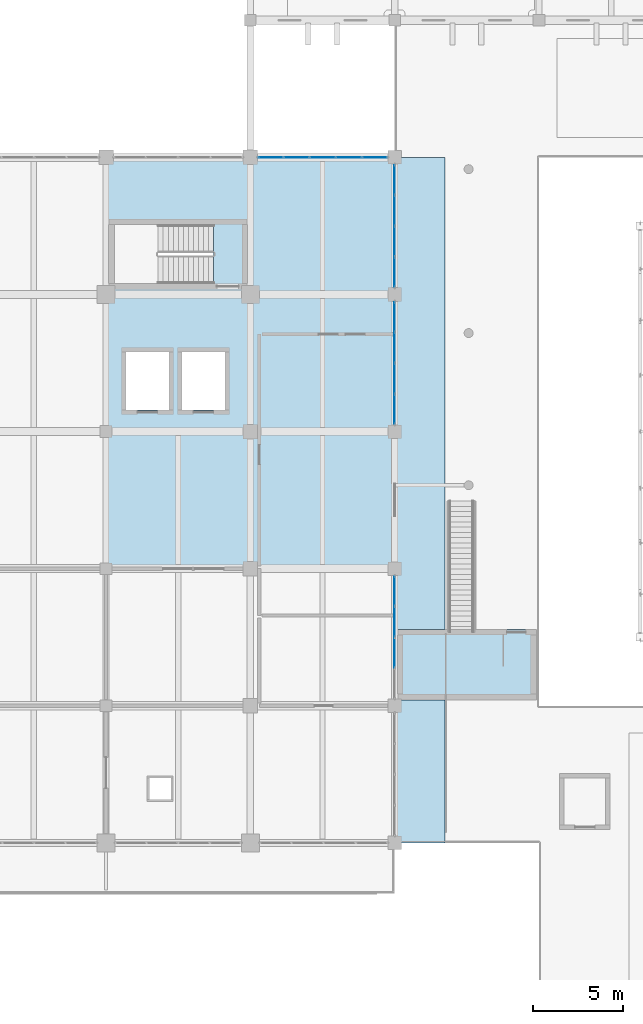
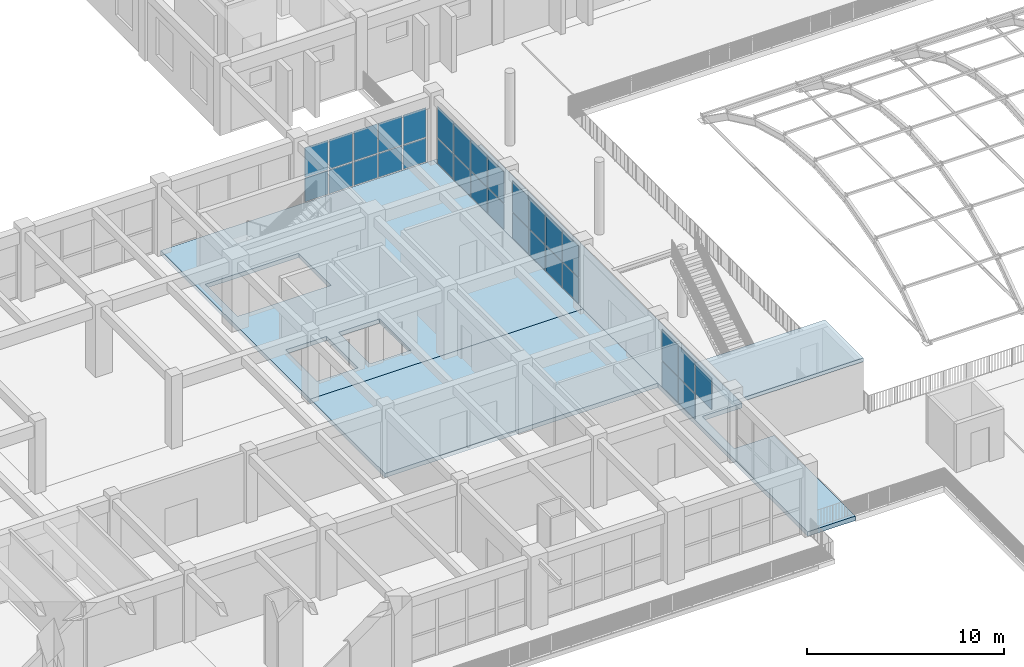
# One storey, part 45 of 79: 31 plates, 4 slabs, 4 elements without a shape of their own.
"""IFC4 building model written with IfcOpenShell, lengths in metres."""

from ifc_helpers import new_model, si_unit, direction, frame, origin, origin_2d, place, context, subcontext, project, spatial, polyline, rectangle, outline, extrude, material, layer, layer_set, type_object, element, aggregate, save


model = new_model("IFC4")

# Units and contexts
model_context = context("Model", 3, precision=1e-05, world=origin(), true_north=direction((0.0, 1.0)))
body_context = subcontext(model_context, "Body", "Model", "MODEL_VIEW")
ifc_project = project(units=[si_unit("LENGTHUNIT", "METRE"), si_unit("AREAUNIT", "SQUARE_METRE"), si_unit("VOLUMEUNIT", "CUBIC_METRE"), si_unit("PLANEANGLEUNIT", "RADIAN"), si_unit("MASSUNIT", "GRAM", prefix="KILO")], contexts=[model_context])

# Site, building, storey
site_placement = place(None, origin())
site = spatial("IfcSite", under=ifc_project, at=site_placement, CompositionType="ELEMENT")
building_placement = place(site_placement, origin())
building = spatial("IfcBuilding", under=site, at=building_placement, Name="Zantavel Square City Hall", CompositionType="ELEMENT")
storey_placement = place(building_placement, frame((0.0, 0.0, 10.199951171875)))
storey = spatial("IfcBuildingStorey", under=building, at=storey_placement, Name="L03", CompositionType="ELEMENT", Elevation=10.199951171875)

# Slabs
ifc_material_1 = material(Name="Concrete C35/45", Category="concrete")
ifc_layer_1 = layer(ifc_material_1, 0.260009765625, Name="Concrete C35/45")
ifc_layer_set_1 = layer_set([ifc_layer_1], Name="Concrete C35/45")
slab_type_1 = type_object("IfcSlabType", Name="Council & Executive Slab 260mm C35/45", PredefinedType="FLOOR", material=ifc_layer_set_1)
slab_1_placement = place(storey_placement, frame((0.0, 0.0, -0.260009765625)))
element("IfcSlab", 1, at=slab_1_placement, inside=storey, type_object=slab_type_1, Name="L03 Floor Slab SLB-L03-V1-08", PredefinedType="FLOOR", context=body_context, shape_type="SweptSolid", body=[
    extrude(outline(polyline([(112.0, 53.199951171875), (112.0, 45.60009765625), (96.0, 45.60009765625), (96.0, 53.199951171875), (112.0, 53.199951171875)])), origin(), (0.0, 0.0, 1.0), 0.260009765625),
])
slab_2_placement = place(storey_placement, frame((0.0, 0.0, -0.260009765625)))
element("IfcSlab", 2, at=slab_2_placement, inside=storey, type_object=slab_type_1, Name="L03 Floor Slab SLB-L03-V1-12", PredefinedType="FLOOR", context=body_context, shape_type="SweptSolid", body=[
    extrude(outline(polyline([(96.0, 68.39990234375), (112.0, 68.39990234375), (112.0, 53.199951171875), (96.0, 53.199951171875), (96.0, 68.39990234375)]), holes=[polyline([(96.469970703125, 61.39990234375), (101.949951171875, 61.39990234375), (101.949951171875, 64.669921875), (96.469970703125, 64.669921875), (96.469970703125, 61.39990234375)]), polyline([(97.10009765625, 57.60009765625), (97.10009765625, 54.39990234375), (99.5, 54.39990234375), (99.5, 57.60009765625), (97.10009765625, 57.60009765625)]), polyline([(102.60009765625, 57.60009765625), (100.199951171875, 57.60009765625), (100.199951171875, 54.39990234375), (102.60009765625, 54.39990234375), (102.60009765625, 57.60009765625)])]), origin(), (0.0, 0.0, 1.0), 0.260009765625),
])
ifc_layer_2 = layer(ifc_material_1, 0.219970703125, Name="Concrete C35/45")
ifc_layer_set_2 = layer_set([ifc_layer_2], Name="Concrete C35/45")
slab_type_2 = type_object("IfcSlabType", Name="Insulated Flat Roof Slab 220mm C35/45", PredefinedType="ROOF", material=ifc_layer_set_2)
slab_3_placement = place(storey_placement, frame((0.0, 0.0, 3.0)))
element("IfcSlab", 3, at=slab_3_placement, inside=storey, type_object=slab_type_2, Name="L03 Stair ST4 Garden Headhouse Roof Slab", PredefinedType="ROOF", context=body_context, shape_type="SweptSolid", body=[
    extrude(outline(polyline([(112.14990234375, 38.330078125), (119.85009765625, 38.330078125), (119.85009765625, 42.239990234375), (112.14990234375, 42.239990234375), (112.14990234375, 38.330078125)])), origin(), (0.0, 0.0, 1.0), 0.219970703125),
])

# Curtain wall, plates
ifc_material_2 = material(Name="Anodised aluminium 6063-T6", Category="aluminium")
curtain_wall_type_1 = type_object("IfcCurtainWallType", Name="Curtain Wall TRV1 7225x3470", PredefinedType="USERDEFINED", material=ifc_material_2)
curtain_wall_1_placement = place(storey_placement, origin())
curtain_wall_1 = element("IfcCurtainWall", 4, at=curtain_wall_1_placement, inside=storey, type_object=curtain_wall_type_1, Name="L03 Glazed Curtain Wall CW-L03-089", ObjectType="GLAZED CURTAIN WALL", PredefinedType="USERDEFINED")
ifc_material_3 = material(Name="Tempered safety glass low-E double glazing", Category="glass")
ifc_layer_3 = layer(ifc_material_3, 0.028076171875, Name="Tempered safety glass low-E double glazing")
ifc_layer_set_3 = layer_set([ifc_layer_3], Name="Tempered safety glass low-E double glazing")
plate_type_1 = type_object("IfcPlateType", Name="Low-E Curtain Glazing Panel 1445x1735x28", PredefinedType="CURTAIN_PANEL", material=ifc_layer_set_3)
plate_1_placement = place(storey_placement, frame((105.137451171875, 68.39990234375, 0.06005859375), z_axis=(0.0, 0.0, 1.0), x_axis=(1.0, 0.0, 0.0)))
plate_1 = element("IfcPlate", 5, at=plate_1_placement, type_object=plate_type_1, Name="CW-089 panel 1.1", PredefinedType="CURTAIN_PANEL", context=body_context, shape_type="SweptSolid", body=[
    extrude(rectangle(XDim=1.35498046875, YDim=0.028076171875, at=origin_2d()), origin(), (0.0, 0.0, 1.0), 1.471923828125),
])
plate_2_placement = place(storey_placement, frame((105.137451171875, 68.39990234375, 1.591796875), z_axis=(0.0, 0.0, 1.0), x_axis=(1.0, 0.0, 0.0)))
plate_2 = element("IfcPlate", 6, at=plate_2_placement, type_object=plate_type_1, Name="CW-089 panel 1.2", PredefinedType="CURTAIN_PANEL", context=body_context, shape_type="SweptSolid", body=[
    extrude(rectangle(XDim=1.35498046875, YDim=0.028076171875, at=origin_2d()), origin(), (0.0, 0.0, 1.0), 1.818115234375),
])
plate_3_placement = place(storey_placement, frame((106.5673828125, 68.39990234375, 0.06005859375), z_axis=(0.0, 0.0, 1.0), x_axis=(1.0, 0.0, 0.0)))
plate_3 = element("IfcPlate", 7, at=plate_3_placement, type_object=plate_type_1, Name="CW-089 panel 2.1", PredefinedType="CURTAIN_PANEL", context=body_context, shape_type="SweptSolid", body=[
    extrude(rectangle(XDim=1.385009765625, YDim=0.028076171875, at=origin_2d()), origin(), (0.0, 0.0, 1.0), 1.471923828125),
])
plate_4_placement = place(storey_placement, frame((106.5673828125, 68.39990234375, 1.591796875), z_axis=(0.0, 0.0, 1.0), x_axis=(1.0, 0.0, 0.0)))
plate_4 = element("IfcPlate", 8, at=plate_4_placement, type_object=plate_type_1, Name="CW-089 panel 2.2", PredefinedType="CURTAIN_PANEL", context=body_context, shape_type="SweptSolid", body=[
    extrude(rectangle(XDim=1.385009765625, YDim=0.028076171875, at=origin_2d()), origin(), (0.0, 0.0, 1.0), 1.818115234375),
])
plate_5_placement = place(storey_placement, frame((108.012451171875, 68.39990234375, 0.06005859375), z_axis=(0.0, 0.0, 1.0), x_axis=(1.0, 0.0, 0.0)))
plate_5 = element("IfcPlate", 9, at=plate_5_placement, type_object=plate_type_1, Name="CW-089 panel 3.1", PredefinedType="CURTAIN_PANEL", context=body_context, shape_type="SweptSolid", body=[
    extrude(rectangle(XDim=1.385009765625, YDim=0.028076171875, at=origin_2d()), origin(), (0.0, 0.0, 1.0), 1.471923828125),
])
plate_6_placement = place(storey_placement, frame((108.012451171875, 68.39990234375, 1.591796875), z_axis=(0.0, 0.0, 1.0), x_axis=(1.0, 0.0, 0.0)))
plate_6 = element("IfcPlate", 10, at=plate_6_placement, type_object=plate_type_1, Name="CW-089 panel 3.2", PredefinedType="CURTAIN_PANEL", context=body_context, shape_type="SweptSolid", body=[
    extrude(rectangle(XDim=1.385009765625, YDim=0.028076171875, at=origin_2d()), origin(), (0.0, 0.0, 1.0), 1.818115234375),
])
plate_7_placement = place(storey_placement, frame((109.45751953125, 68.39990234375, 0.06005859375), z_axis=(0.0, 0.0, 1.0), x_axis=(1.0, 0.0, 0.0)))
plate_7 = element("IfcPlate", 11, at=plate_7_placement, type_object=plate_type_1, Name="CW-089 panel 4.1", PredefinedType="CURTAIN_PANEL", context=body_context, shape_type="SweptSolid", body=[
    extrude(rectangle(XDim=1.385009765625, YDim=0.028076171875, at=origin_2d()), origin(), (0.0, 0.0, 1.0), 1.471923828125),
])
plate_8_placement = place(storey_placement, frame((109.45751953125, 68.39990234375, 1.591796875), z_axis=(0.0, 0.0, 1.0), x_axis=(1.0, 0.0, 0.0)))
plate_8 = element("IfcPlate", 12, at=plate_8_placement, type_object=plate_type_1, Name="CW-089 panel 4.2", PredefinedType="CURTAIN_PANEL", context=body_context, shape_type="SweptSolid", body=[
    extrude(rectangle(XDim=1.385009765625, YDim=0.028076171875, at=origin_2d()), origin(), (0.0, 0.0, 1.0), 1.818115234375),
])
plate_9_placement = place(storey_placement, frame((110.887451171875, 68.39990234375, 0.06005859375), z_axis=(0.0, 0.0, 1.0), x_axis=(1.0, 0.0, 0.0)))
plate_9 = element("IfcPlate", 13, at=plate_9_placement, type_object=plate_type_1, Name="CW-089 panel 5.1", PredefinedType="CURTAIN_PANEL", context=body_context, shape_type="SweptSolid", body=[
    extrude(rectangle(XDim=1.35498046875, YDim=0.028076171875, at=origin_2d()), origin(), (0.0, 0.0, 1.0), 1.471923828125),
])
plate_10_placement = place(storey_placement, frame((110.887451171875, 68.39990234375, 1.591796875), z_axis=(0.0, 0.0, 1.0), x_axis=(1.0, 0.0, 0.0)))
plate_10 = element("IfcPlate", 14, at=plate_10_placement, type_object=plate_type_1, Name="CW-089 panel 5.2", PredefinedType="CURTAIN_PANEL", context=body_context, shape_type="SweptSolid", body=[
    extrude(rectangle(XDim=1.35498046875, YDim=0.028076171875, at=origin_2d()), origin(), (0.0, 0.0, 1.0), 1.818115234375),
])
aggregate(curtain_wall_1, [plate_1, plate_2, plate_3, plate_4, plate_5, plate_6, plate_7, plate_8, plate_9, plate_10])

curtain_wall_type_2 = type_object("IfcCurtainWallType", Name="Curtain Wall TRV1 6850x3670", PredefinedType="USERDEFINED", material=ifc_material_2)
curtain_wall_2_placement = place(storey_placement, origin())
curtain_wall_2 = element("IfcCurtainWall", 15, at=curtain_wall_2_placement, inside=storey, type_object=curtain_wall_type_2, Name="L03 Glazed Curtain Wall CW-L03-091", ObjectType="GLAZED CURTAIN WALL", PredefinedType="USERDEFINED")
ifc_layer_4 = layer(ifc_material_3, 0.028076171875, Name="Tempered safety glass low-E double glazing")
ifc_layer_set_4 = layer_set([ifc_layer_4], Name="Tempered safety glass low-E double glazing")
plate_type_2 = type_object("IfcPlateType", Name="Low-E Curtain Glazing Panel 1712x1835x28", PredefinedType="CURTAIN_PANEL", material=ifc_layer_set_4)
plate_11_placement = place(storey_placement, frame((112.0, 59.5537109375, 0.06005859375), z_axis=(0.0, 0.0, 1.0), x_axis=(0.0, -1.0, 0.0)))
plate_11 = element("IfcPlate", 16, at=plate_11_placement, type_object=plate_type_2, Name="CW-091 panel 1.1", PredefinedType="CURTAIN_PANEL", context=body_context, shape_type="SweptSolid", body=[
    extrude(rectangle(XDim=1.62255859375, YDim=0.028076171875, at=origin_2d()), origin(), (0.0, 0.0, 1.0), 1.56103515625),
])
plate_12_placement = place(storey_placement, frame((112.0, 59.5537109375, 1.68115234375), z_axis=(0.0, 0.0, 1.0), x_axis=(0.0, -1.0, 0.0)))
plate_12 = element("IfcPlate", 17, at=plate_12_placement, type_object=plate_type_2, Name="CW-091 panel 1.2", PredefinedType="CURTAIN_PANEL", context=body_context, shape_type="SweptSolid", body=[
    extrude(rectangle(XDim=1.62255859375, YDim=0.028076171875, at=origin_2d()), origin(), (0.0, 0.0, 1.0), 1.928955078125),
])
plate_13_placement = place(storey_placement, frame((112.0, 57.856201171875, 0.06005859375), z_axis=(0.0, 0.0, 1.0), x_axis=(0.0, -1.0, 0.0)))
plate_13 = element("IfcPlate", 18, at=plate_13_placement, type_object=plate_type_2, Name="CW-091 panel 2.1", PredefinedType="CURTAIN_PANEL", context=body_context, shape_type="SweptSolid", body=[
    extrude(rectangle(XDim=1.652587890625, YDim=0.028076171875, at=origin_2d()), origin(), (0.0, 0.0, 1.0), 1.56103515625),
])
plate_14_placement = place(storey_placement, frame((112.0, 57.856201171875, 1.68115234375), z_axis=(0.0, 0.0, 1.0), x_axis=(0.0, -1.0, 0.0)))
plate_14 = element("IfcPlate", 19, at=plate_14_placement, type_object=plate_type_2, Name="CW-091 panel 2.2", PredefinedType="CURTAIN_PANEL", context=body_context, shape_type="SweptSolid", body=[
    extrude(rectangle(XDim=1.652587890625, YDim=0.028076171875, at=origin_2d()), origin(), (0.0, 0.0, 1.0), 1.928955078125),
])
plate_15_placement = place(storey_placement, frame((112.0, 56.143798828125, 0.06005859375), z_axis=(0.0, 0.0, 1.0), x_axis=(0.0, -1.0, 0.0)))
plate_15 = element("IfcPlate", 20, at=plate_15_placement, type_object=plate_type_2, Name="CW-091 panel 3.1", PredefinedType="CURTAIN_PANEL", context=body_context, shape_type="SweptSolid", body=[
    extrude(rectangle(XDim=1.652587890625, YDim=0.028076171875, at=origin_2d()), origin(), (0.0, 0.0, 1.0), 1.56103515625),
])
plate_16_placement = place(storey_placement, frame((112.0, 56.143798828125, 1.68115234375), z_axis=(0.0, 0.0, 1.0), x_axis=(0.0, -1.0, 0.0)))
plate_16 = element("IfcPlate", 21, at=plate_16_placement, type_object=plate_type_2, Name="CW-091 panel 3.2", PredefinedType="CURTAIN_PANEL", context=body_context, shape_type="SweptSolid", body=[
    extrude(rectangle(XDim=1.652587890625, YDim=0.028076171875, at=origin_2d()), origin(), (0.0, 0.0, 1.0), 1.928955078125),
])
plate_17_placement = place(storey_placement, frame((112.0, 54.4462890625, 0.06005859375), z_axis=(0.0, 0.0, 1.0), x_axis=(0.0, -1.0, 0.0)))
plate_17 = element("IfcPlate", 22, at=plate_17_placement, type_object=plate_type_2, Name="CW-091 panel 4.1", PredefinedType="CURTAIN_PANEL", context=body_context, shape_type="SweptSolid", body=[
    extrude(rectangle(XDim=1.62255859375, YDim=0.028076171875, at=origin_2d()), origin(), (0.0, 0.0, 1.0), 1.56103515625),
])
plate_18_placement = place(storey_placement, frame((112.0, 54.4462890625, 1.68115234375), z_axis=(0.0, 0.0, 1.0), x_axis=(0.0, -1.0, 0.0)))
plate_18 = element("IfcPlate", 23, at=plate_18_placement, type_object=plate_type_2, Name="CW-091 panel 4.2", PredefinedType="CURTAIN_PANEL", context=body_context, shape_type="SweptSolid", body=[
    extrude(rectangle(XDim=1.62255859375, YDim=0.028076171875, at=origin_2d()), origin(), (0.0, 0.0, 1.0), 1.928955078125),
])
aggregate(curtain_wall_2, [plate_11, plate_12, plate_13, plate_14, plate_15, plate_16, plate_17, plate_18])

curtain_wall_3_placement = place(storey_placement, origin())
curtain_wall_3 = element("IfcCurtainWall", 24, at=curtain_wall_3_placement, inside=storey, type_object=curtain_wall_type_2, Name="L03 Glazed Curtain Wall CW-L03-090", ObjectType="GLAZED CURTAIN WALL", PredefinedType="USERDEFINED")
ifc_layer_5 = layer(ifc_material_3, 0.028076171875, Name="Tempered safety glass low-E double glazing")
ifc_layer_set_5 = layer_set([ifc_layer_5], Name="Tempered safety glass low-E double glazing")
plate_type_3 = type_object("IfcPlateType", Name="Low-E Curtain Glazing Panel 1713x1835x28", PredefinedType="CURTAIN_PANEL", material=ifc_layer_set_5)
plate_19_placement = place(storey_placement, frame((112.0, 67.15380859375, 0.06005859375), z_axis=(0.0, 0.0, 1.0), x_axis=(0.0, -1.0, 0.0)))
plate_19 = element("IfcPlate", 25, at=plate_19_placement, type_object=plate_type_3, Name="CW-090 panel 1.1", PredefinedType="CURTAIN_PANEL", context=body_context, shape_type="SweptSolid", body=[
    extrude(rectangle(XDim=1.62255859375, YDim=0.028076171875, at=origin_2d()), origin(), (0.0, 0.0, 1.0), 1.56103515625),
])
plate_20_placement = place(storey_placement, frame((112.0, 67.15380859375, 1.68115234375), z_axis=(0.0, 0.0, 1.0), x_axis=(0.0, -1.0, 0.0)))
plate_20 = element("IfcPlate", 26, at=plate_20_placement, type_object=plate_type_3, Name="CW-090 panel 1.2", PredefinedType="CURTAIN_PANEL", context=body_context, shape_type="SweptSolid", body=[
    extrude(rectangle(XDim=1.62255859375, YDim=0.028076171875, at=origin_2d()), origin(), (0.0, 0.0, 1.0), 1.928955078125),
])
plate_21_placement = place(storey_placement, frame((112.0, 65.456298828125, 0.06005859375), z_axis=(0.0, 0.0, 1.0), x_axis=(0.0, -1.0, 0.0)))
plate_21 = element("IfcPlate", 27, at=plate_21_placement, type_object=plate_type_3, Name="CW-090 panel 2.1", PredefinedType="CURTAIN_PANEL", context=body_context, shape_type="SweptSolid", body=[
    extrude(rectangle(XDim=1.652587890625, YDim=0.028076171875, at=origin_2d()), origin(), (0.0, 0.0, 1.0), 1.56103515625),
])
plate_22_placement = place(storey_placement, frame((112.0, 65.456298828125, 1.68115234375), z_axis=(0.0, 0.0, 1.0), x_axis=(0.0, -1.0, 0.0)))
plate_22 = element("IfcPlate", 28, at=plate_22_placement, type_object=plate_type_3, Name="CW-090 panel 2.2", PredefinedType="CURTAIN_PANEL", context=body_context, shape_type="SweptSolid", body=[
    extrude(rectangle(XDim=1.652587890625, YDim=0.028076171875, at=origin_2d()), origin(), (0.0, 0.0, 1.0), 1.928955078125),
])
plate_23_placement = place(storey_placement, frame((112.0, 63.74365234375, 0.06005859375), z_axis=(0.0, 0.0, 1.0), x_axis=(0.0, -1.0, 0.0)))
plate_23 = element("IfcPlate", 29, at=plate_23_placement, type_object=plate_type_3, Name="CW-090 panel 3.1", PredefinedType="CURTAIN_PANEL", context=body_context, shape_type="SweptSolid", body=[
    extrude(rectangle(XDim=1.652587890625, YDim=0.028076171875, at=origin_2d()), origin(), (0.0, 0.0, 1.0), 1.56103515625),
])
plate_24_placement = place(storey_placement, frame((112.0, 63.74365234375, 1.68115234375), z_axis=(0.0, 0.0, 1.0), x_axis=(0.0, -1.0, 0.0)))
plate_24 = element("IfcPlate", 30, at=plate_24_placement, type_object=plate_type_3, Name="CW-090 panel 3.2", PredefinedType="CURTAIN_PANEL", context=body_context, shape_type="SweptSolid", body=[
    extrude(rectangle(XDim=1.652587890625, YDim=0.028076171875, at=origin_2d()), origin(), (0.0, 0.0, 1.0), 1.928955078125),
])
plate_25_placement = place(storey_placement, frame((112.0, 62.046142578125, 0.06005859375), z_axis=(0.0, 0.0, 1.0), x_axis=(0.0, -1.0, 0.0)))
plate_25 = element("IfcPlate", 31, at=plate_25_placement, type_object=plate_type_3, Name="CW-090 panel 4.1", PredefinedType="CURTAIN_PANEL", context=body_context, shape_type="SweptSolid", body=[
    extrude(rectangle(XDim=1.62255859375, YDim=0.028076171875, at=origin_2d()), origin(), (0.0, 0.0, 1.0), 1.56103515625),
])
plate_26_placement = place(storey_placement, frame((112.0, 62.046142578125, 1.68115234375), z_axis=(0.0, 0.0, 1.0), x_axis=(0.0, -1.0, 0.0)))
plate_26 = element("IfcPlate", 32, at=plate_26_placement, type_object=plate_type_3, Name="CW-090 panel 4.2", PredefinedType="CURTAIN_PANEL", context=body_context, shape_type="SweptSolid", body=[
    extrude(rectangle(XDim=1.62255859375, YDim=0.028076171875, at=origin_2d()), origin(), (0.0, 0.0, 1.0), 1.928955078125),
])
aggregate(curtain_wall_3, [plate_19, plate_20, plate_21, plate_22, plate_23, plate_24, plate_25, plate_26])

curtain_wall_4_placement = place(storey_placement, origin())
curtain_wall_4 = element("IfcCurtainWall", 33, at=curtain_wall_4_placement, inside=storey, type_object=curtain_wall_type_2, Name="L03 Glazed Curtain Wall CW-L03-092", ObjectType="GLAZED CURTAIN WALL", PredefinedType="USERDEFINED")
plate_27_placement = place(storey_placement, frame((112.0, 44.353759765625, 0.06005859375), z_axis=(0.0, 0.0, 1.0), x_axis=(0.0, -1.0, 0.0)))
plate_27 = element("IfcPlate", 34, at=plate_27_placement, type_object=plate_type_3, Name="CW-092 panel 1.1", PredefinedType="CURTAIN_PANEL", context=body_context, shape_type="SweptSolid", body=[
    extrude(rectangle(XDim=1.62255859375, YDim=0.028076171875, at=origin_2d()), origin(), (0.0, 0.0, 1.0), 1.56103515625),
])
plate_28_placement = place(storey_placement, frame((112.0, 44.353759765625, 1.68115234375), z_axis=(0.0, 0.0, 1.0), x_axis=(0.0, -1.0, 0.0)))
plate_28 = element("IfcPlate", 35, at=plate_28_placement, type_object=plate_type_3, Name="CW-092 panel 1.2", PredefinedType="CURTAIN_PANEL", context=body_context, shape_type="SweptSolid", body=[
    extrude(rectangle(XDim=1.62255859375, YDim=0.028076171875, at=origin_2d()), origin(), (0.0, 0.0, 1.0), 1.928955078125),
])
plate_29_placement = place(storey_placement, frame((112.0, 42.65625, 0.06005859375), z_axis=(0.0, 0.0, 1.0), x_axis=(0.0, -1.0, 0.0)))
plate_29 = element("IfcPlate", 36, at=plate_29_placement, type_object=plate_type_3, Name="CW-092 panel 2.1", PredefinedType="CURTAIN_PANEL", context=body_context, shape_type="SweptSolid", body=[
    extrude(rectangle(XDim=1.652587890625, YDim=0.028076171875, at=origin_2d()), origin(), (0.0, 0.0, 1.0), 1.56103515625),
])
plate_30_placement = place(storey_placement, frame((112.0, 42.65625, 1.68115234375), z_axis=(0.0, 0.0, 1.0), x_axis=(0.0, -1.0, 0.0)))
plate_30 = element("IfcPlate", 37, at=plate_30_placement, type_object=plate_type_3, Name="CW-092 panel 2.2", PredefinedType="CURTAIN_PANEL", context=body_context, shape_type="SweptSolid", body=[
    extrude(rectangle(XDim=1.652587890625, YDim=0.028076171875, at=origin_2d()), origin(), (0.0, 0.0, 1.0), 1.928955078125),
])
plate_31_placement = place(storey_placement, frame((112.0, 40.94384765625, 1.68115234375), z_axis=(0.0, 0.0, 1.0), x_axis=(0.0, -1.0, 0.0)))
plate_31 = element("IfcPlate", 38, at=plate_31_placement, type_object=plate_type_3, Name="CW-092 panel 3.2", PredefinedType="CURTAIN_PANEL", context=body_context, shape_type="SweptSolid", body=[
    extrude(rectangle(XDim=1.652587890625, YDim=0.028076171875, at=origin_2d()), origin(), (0.0, 0.0, 1.0), 1.928955078125),
])
aggregate(curtain_wall_4, [plate_27, plate_28, plate_29, plate_30, plate_31])

# Slab
ifc_material_4 = material(Name="Precast concrete C40/50", Category="concrete")
ifc_layer_6 = layer(ifc_material_4, 0.280029296875, Name="Precast concrete C40/50")
ifc_layer_set_6 = layer_set([ifc_layer_6], Name="Precast concrete C40/50")
slab_type_3 = type_object("IfcSlabType", Name="White Cantera Tray Slab 280mm C40/50", PredefinedType="FLOOR", material=ifc_layer_set_6)
slab_4_placement = place(storey_placement, frame((0.0, 0.0, -0.280029296875)))
element("IfcSlab", 39, at=slab_4_placement, inside=storey, type_object=slab_type_3, Name="L03 Outdoor Terrace Slab SLB-L03-TRAY1-E", PredefinedType="FLOOR", context=body_context, shape_type="SweptSolid", body=[
    extrude(outline(polyline([(112.0, 30.39990234375), (112.0, 45.60009765625), (112.0, 53.199951171875), (112.0, 68.39990234375), (114.800048828125, 68.39990234375), (114.800048828125, 41.919921875), (112.469970703125, 41.919921875), (112.469970703125, 38.64990234375), (114.800048828125, 38.64990234375), (114.800048828125, 30.39990234375), (112.0, 30.39990234375)])), origin(), (0.0, 0.0, 1.0), 0.280029296875),
])

save(model, "model.ifc")
